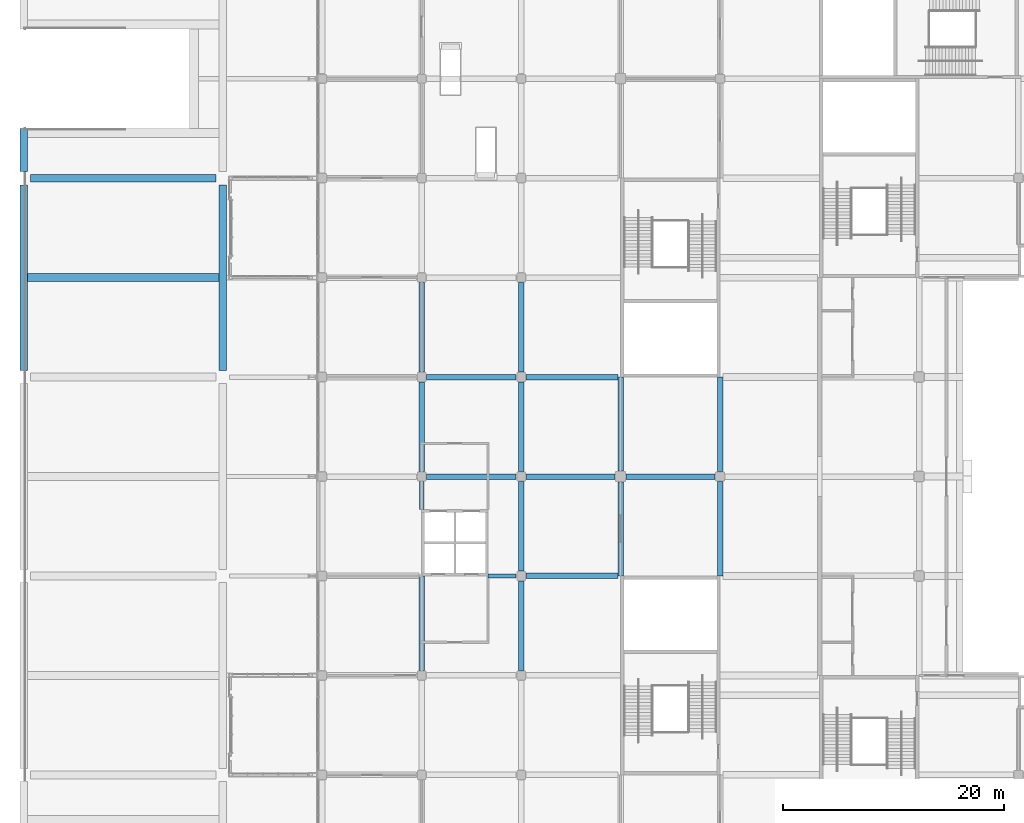
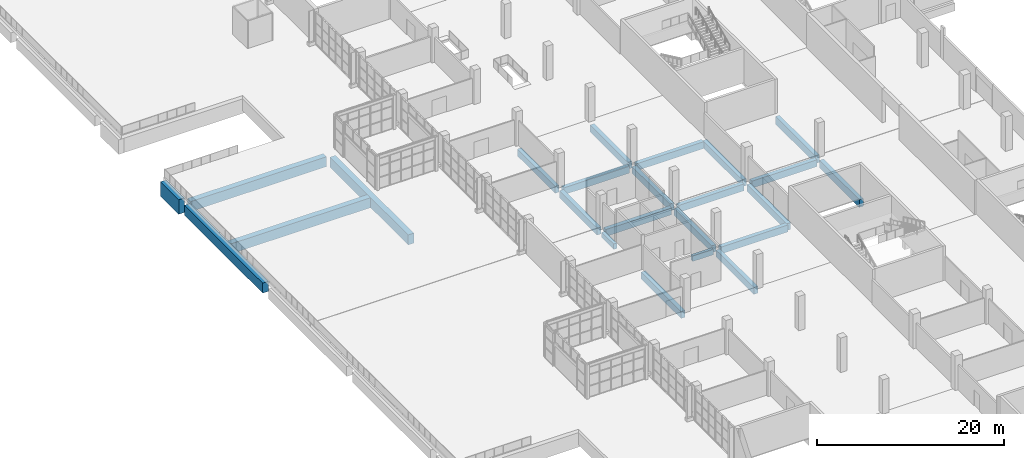
# One storey, part 37 of 168: 24 beams.
"""IFC4 building model written with IfcOpenShell, lengths in metres."""

from ifc_helpers import new_model, si_unit, direction, frame, origin, origin_2d, place, context, subcontext, project, spatial, rectangle, extrude, material, material_profile, profile_set, type_object, element, save


model = new_model("IFC4")

# Units and contexts
model_context = context("Model", 3, precision=1e-05, world=origin(), true_north=direction((0.0, 1.0)))
body_context = subcontext(model_context, "Body", "Model", "MODEL_VIEW")
ifc_project = project(units=[si_unit("LENGTHUNIT", "METRE"), si_unit("AREAUNIT", "SQUARE_METRE"), si_unit("VOLUMEUNIT", "CUBIC_METRE"), si_unit("PLANEANGLEUNIT", "RADIAN"), si_unit("MASSUNIT", "GRAM", prefix="KILO")], contexts=[model_context])

# Site, building, storey
site_placement = place(None, origin())
site = spatial("IfcSite", under=ifc_project, at=site_placement, CompositionType="ELEMENT")
building_placement = place(site_placement, origin())
building = spatial("IfcBuilding", under=site, at=building_placement, Name="Silverbay Arena", CompositionType="ELEMENT")
storey_placement = place(building_placement, frame((0.0, 0.0, 7.0)))
storey = spatial("IfcBuildingStorey", under=building, at=storey_placement, Name="L01", CompositionType="ELEMENT", Elevation=7.0)

# Beams
ifc_material_1 = material(Name="Concrete Grade C45", Category="concrete")
ifc_material_profile_1 = material_profile(ifc_material_1, rectangle(XDim=0.39990234375, YDim=0.699951171875, at=origin_2d()), Name="RC 400x700")
ifc_profile_set_1 = profile_set([ifc_material_profile_1], Name="Concrete Grade C45")
beam_type_1 = type_object("IfcBeamType", Name="RC beam 400x700", PredefinedType="BEAM", material=ifc_profile_set_1)
for number, where, z_axis, x_axis, name in (
    (1, (42.0, 72.0, -0.699951171875), (1.0, 0.0, 0.0), (0.0, 1.0, 0.0), "Floor beam L01 073"),
    (2, (36.0, 78.0, -0.699951171875), (0.0, 1.0, 0.0), (-1.0, 0.0, 0.0), "Floor beam L01 195"),
):
    element("IfcBeam", number, at=place(storey_placement, frame(where, z_axis=z_axis, x_axis=x_axis)), inside=storey, type_object=beam_type_1, Name=name, PredefinedType="BEAM", context=body_context, shape_type="SweptSolid", body=[
        extrude(rectangle(XDim=0.39990234375, YDim=0.699951171875, at=origin_2d()), origin(), (0.0, 0.0, 1.0), 2.550048828125),
    ])
ifc_material_2 = material(Name="Concrete Grade C45", Category="concrete")
ifc_material_profile_2 = material_profile(ifc_material_2, rectangle(XDim=0.5, YDim=1.0, at=origin_2d()), Name="RC 500x1000")
ifc_profile_set_2 = profile_set([ifc_material_profile_2], Name="Concrete Grade C45")
beam_type_2 = type_object("IfcBeamType", Name="RC beam 500x1000", PredefinedType="BEAM", material=ifc_profile_set_2)
for number, where, z_axis, x_axis, name in (
    (3, (63.0, 72.0, -0.85009765625), (0.0, 1.0, 0.0), (-1.0, 0.0, 0.0), "Floor beam L01 226"),
    (4, (63.0, 81.449951171875, -0.85009765625), (0.0, 1.0, 0.0), (-1.0, 0.0, 0.0), "Floor beam L01 227"),
):
    element("IfcBeam", number, at=place(storey_placement, frame(where, z_axis=z_axis, x_axis=x_axis)), inside=storey, type_object=beam_type_2, Name=name, PredefinedType="BEAM", context=body_context, shape_type="SweptSolid", body=[
        extrude(rectangle(XDim=0.5, YDim=1.0, at=origin_2d()), origin(), (0.0, 0.0, 1.0), 8.550048828125),
    ])
ifc_material_3 = material(Name="Concrete Grade C45", Category="concrete")
ifc_material_profile_3 = material_profile(ifc_material_3, rectangle(XDim=0.5, YDim=0.89990234375, at=origin_2d()), Name="RC 500x900")
ifc_profile_set_3 = profile_set([ifc_material_profile_3], Name="Concrete Grade C45")
beam_type_3 = type_object("IfcBeamType", Name="RC beam 500x900", PredefinedType="BEAM", material=ifc_profile_set_3)
beam_1_placement = place(storey_placement, frame((45.449951171875, 72.0, -0.800048828125), z_axis=(1.0, 0.0, 0.0), x_axis=(0.0, 1.0, 0.0)))
element("IfcBeam", 5, at=beam_1_placement, inside=storey, type_object=beam_type_3, Name="Floor beam L01 074", PredefinedType="BEAM", context=body_context, shape_type="SweptSolid", body=[
    extrude(rectangle(XDim=0.5, YDim=0.89990234375, at=origin_2d()), origin(), (0.0, 0.0, 1.0), 8.300048828125),
])
beam_2_placement = place(storey_placement, frame((36.449951171875, 81.0, -0.800048828125), z_axis=(1.0, 0.0, 0.0), x_axis=(0.0, 1.0, 0.0)))
element("IfcBeam", 6, at=beam_2_placement, inside=storey, type_object=beam_type_3, Name="Floor beam L01 085", PredefinedType="BEAM", context=body_context, shape_type="SweptSolid", body=[
    extrude(rectangle(XDim=0.5, YDim=0.89990234375, at=origin_2d()), origin(), (0.0, 0.0, 1.0), 8.10009765625),
])
for number, where, z_axis, x_axis, name in (
    (7, (45.449951171875, 81.0, -0.800048828125), (1.0, 0.0, 0.0), (0.0, 1.0, 0.0), "Floor beam L01 086"),
    (8, (54.5, 81.0, -0.800048828125), (1.0, 0.0, 0.0), (0.0, 1.0, 0.0), "Floor beam L01 087"),
):
    element("IfcBeam", number, at=place(storey_placement, frame(where, z_axis=z_axis, x_axis=x_axis)), inside=storey, type_object=beam_type_3, Name=name, PredefinedType="BEAM", context=body_context, shape_type="SweptSolid", body=[
        extrude(rectangle(XDim=0.5, YDim=0.89990234375, at=origin_2d()), origin(), (0.0, 0.0, 1.0), 8.050048828125),
    ])
beam_3_placement = place(storey_placement, frame((36.449951171875, 90.0, -0.800048828125), z_axis=(1.0, 0.0, 0.0), x_axis=(0.0, 1.0, 0.0)))
element("IfcBeam", 9, at=beam_3_placement, inside=storey, type_object=beam_type_3, Name="Floor beam L01 099", PredefinedType="BEAM", context=body_context, shape_type="SweptSolid", body=[
    extrude(rectangle(XDim=0.5, YDim=0.89990234375, at=origin_2d()), origin(), (0.0, 0.0, 1.0), 8.10009765625),
])
beam_4_placement = place(storey_placement, frame((45.449951171875, 90.0, -0.800048828125), z_axis=(1.0, 0.0, 0.0), x_axis=(0.0, 1.0, 0.0)))
element("IfcBeam", 10, at=beam_4_placement, inside=storey, type_object=beam_type_3, Name="Floor beam L01 100", PredefinedType="BEAM", context=body_context, shape_type="SweptSolid", body=[
    extrude(rectangle(XDim=0.5, YDim=0.89990234375, at=origin_2d()), origin(), (0.0, 0.0, 1.0), 8.300048828125),
])
beam_5_placement = place(storey_placement, frame((36.0, 63.449951171875, -0.800048828125), z_axis=(0.0, 1.0, 0.0), x_axis=(-1.0, 0.0, 0.0)))
element("IfcBeam", 11, at=beam_5_placement, inside=storey, type_object=beam_type_3, Name="Floor beam L01 194", PredefinedType="BEAM", context=body_context, shape_type="SweptSolid", body=[
    extrude(rectangle(XDim=0.5, YDim=0.89990234375, at=origin_2d()), origin(), (0.0, 0.0, 1.0), 8.550048828125),
])
for number, where, z_axis, x_axis, name in (
    (12, (36.0, 81.449951171875, -0.800048828125), (0.0, 1.0, 0.0), (-1.0, 0.0, 0.0), "Floor beam L01 196"),
    (13, (36.0, 90.449951171875, -0.800048828125), (0.0, 1.0, 0.0), (-1.0, 0.0, 0.0), "Floor beam L01 197"),
    (14, (45.0, 63.449951171875, -0.800048828125), (0.0, 1.0, 0.0), (-1.0, 0.0, 0.0), "Floor beam L01 206"),
    (15, (45.0, 72.449951171875, -0.800048828125), (0.0, 1.0, 0.0), (-1.0, 0.0, 0.0), "Floor beam L01 207"),
    (16, (45.0, 81.449951171875, -0.800048828125), (0.0, 1.0, 0.0), (-1.0, 0.0, 0.0), "Floor beam L01 208"),
    (17, (45.0, 90.449951171875, -0.800048828125), (0.0, 1.0, 0.0), (-1.0, 0.0, 0.0), "Floor beam L01 209"),
):
    element("IfcBeam", number, at=place(storey_placement, frame(where, z_axis=z_axis, x_axis=x_axis)), inside=storey, type_object=beam_type_3, Name=name, PredefinedType="BEAM", context=body_context, shape_type="SweptSolid", body=[
        extrude(rectangle(XDim=0.5, YDim=0.89990234375, at=origin_2d()), origin(), (0.0, 0.0, 1.0), 8.10009765625),
    ])
for number, where, z_axis, x_axis, name in (
    (18, (54.0, 72.0, -0.800048828125), (0.0, 1.0, 0.0), (-1.0, 0.0, 0.0), "Floor beam L01 218"),
    (19, (54.0, 81.5, -0.800048828125), (0.0, 1.0, 0.0), (-1.0, 0.0, 0.0), "Floor beam L01 219"),
):
    element("IfcBeam", number, at=place(storey_placement, frame(where, z_axis=z_axis, x_axis=x_axis)), inside=storey, type_object=beam_type_3, Name=name, PredefinedType="BEAM", context=body_context, shape_type="SweptSolid", body=[
        extrude(rectangle(XDim=0.5, YDim=0.89990234375, at=origin_2d()), origin(), (0.0, 0.0, 1.0), 8.5),
    ])
ifc_material_4 = material(Name="Concrete Grade C45", Category="concrete")
ifc_material_profile_4 = material_profile(ifc_material_4, rectangle(XDim=0.699951171875, YDim=1.89990234375, at=origin_2d()), Name="RC 700x1900")
ifc_profile_set_4 = profile_set([ifc_material_profile_4], Name="Concrete Grade C45")
beam_type_4 = type_object("IfcBeamType", Name="RC deck edge girder 700x1900", PredefinedType="BEAM", material=ifc_profile_set_4)
beam_6_placement = place(storey_placement, frame((0.0, 108.60009765625, -1.39990234375), z_axis=(0.0, 1.0, 0.0), x_axis=(-1.0, 0.0, 0.0)))
element("IfcBeam", 20, at=beam_6_placement, inside=storey, type_object=beam_type_4, Name="Deck girder 139", PredefinedType="BEAM", context=body_context, shape_type="SweptSolid", body=[
    extrude(rectangle(XDim=0.699951171875, YDim=1.89990234375, at=origin_2d()), origin(), (0.0, 0.0, 1.0), 3.89990234375),
])
ifc_material_5 = material(Name="Concrete Grade C45", Category="concrete")
ifc_material_profile_5 = material_profile(ifc_material_5, rectangle(XDim=0.699951171875, YDim=1.300048828125, at=origin_2d()), Name="RC 700x1300")
ifc_profile_set_5 = profile_set([ifc_material_profile_5], Name="Concrete Grade C45")
beam_type_5 = type_object("IfcBeamType", Name="RC girder 700x1300", PredefinedType="BEAM", material=ifc_profile_set_5)
beam_7_placement = place(storey_placement, frame((0.35009765625, 99.0, -1.10009765625), z_axis=(1.0, 0.0, 0.0), x_axis=(0.0, 1.0, 0.0)))
element("IfcBeam", 21, at=beam_7_placement, inside=storey, type_object=beam_type_5, Name="Deck row beam 085", PredefinedType="BEAM", context=body_context, shape_type="SweptSolid", body=[
    extrude(rectangle(XDim=0.699951171875, YDim=1.300048828125, at=origin_2d()), origin(), (0.0, 0.0, 1.0), 17.2998046875),
])
for number, where, z_axis, x_axis, name in (
    (22, (0.60009765625, 108.0, -1.10009765625), (1.0, 0.0, 0.0), (0.0, 1.0, 0.0), "Deck row beam 087"),
    (23, (0.0, 90.60009765625, -1.10009765625), (0.0, 1.0, 0.0), (-1.0, 0.0, 0.0), "Deck girder 139"),
    (24, (18.0, 90.60009765625, -1.10009765625), (0.0, 1.0, 0.0), (-1.0, 0.0, 0.0), "Deck girder 139"),
):
    element("IfcBeam", number, at=place(storey_placement, frame(where, z_axis=z_axis, x_axis=x_axis)), inside=storey, type_object=beam_type_5, Name=name, PredefinedType="BEAM", context=body_context, shape_type="SweptSolid", body=[
        extrude(rectangle(XDim=0.699951171875, YDim=1.300048828125, at=origin_2d()), origin(), (0.0, 0.0, 1.0), 16.7998046875),
    ])

save(model, "model.ifc")
